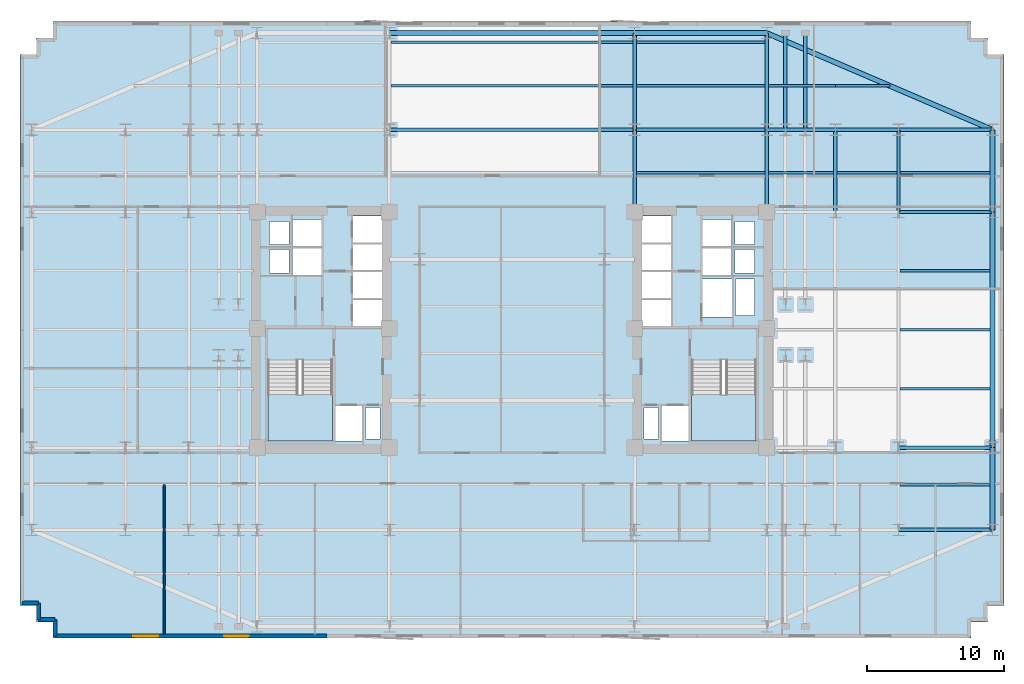
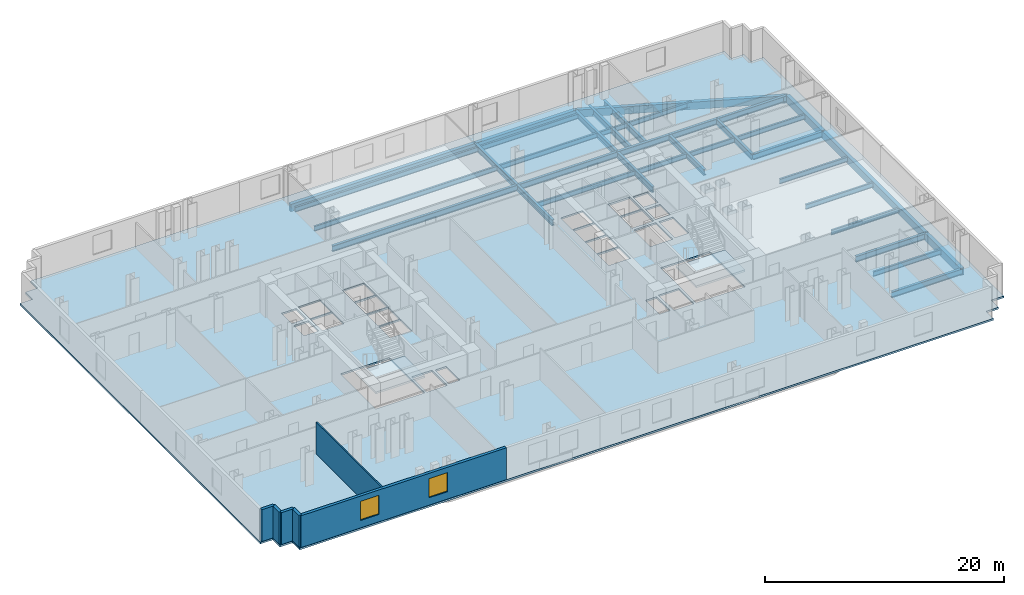
# One storey, part 3 of 10: 36 beams, 6 walls, 3 slabs, 2 windows, 2 openings, 2 elements without a shape of their own.
"""IFC4 building model written with IfcOpenShell, lengths in metres."""

from ifc_helpers import new_model, si_unit, direction, frame, frame_2d, origin, origin_2d, place, context, subcontext, project, spatial, polyline, rectangle, i_section, outline, extrude, material, layer, layer_set, material_profile, profile_set, type_object, element, fill, aggregate, save


model = new_model("IFC4")

# Units and contexts
model_context = context("Model", 3, precision=1e-05, world=origin(), true_north=direction((0.0, 1.0)))
body_context = subcontext(model_context, "Body", "Model", "MODEL_VIEW")
ifc_project = project(units=[si_unit("LENGTHUNIT", "METRE"), si_unit("AREAUNIT", "SQUARE_METRE"), si_unit("VOLUMEUNIT", "CUBIC_METRE"), si_unit("PLANEANGLEUNIT", "RADIAN"), si_unit("MASSUNIT", "GRAM", prefix="KILO")], contexts=[model_context])

# Site, building, storey
site_placement = place(None, origin())
site = spatial("IfcSite", under=ifc_project, at=site_placement, CompositionType="ELEMENT")
building_placement = place(site_placement, origin())
building = spatial("IfcBuilding", under=site, at=building_placement, Name="Velakula Bourse", CompositionType="ELEMENT")
storey_placement = place(building_placement, frame((0.0, 0.0, 41.550048828125)))
storey = spatial("IfcBuildingStorey", under=building, at=storey_placement, Name="L10", CompositionType="ELEMENT", Elevation=41.550048828125)

# Beams
ifc_material_1 = material(Name="Steel IS 2062 Grade 350 (E350)", Category="steel")
ifc_material_profile_1 = material_profile(ifc_material_1, i_section(OverallWidth=0.25, OverallDepth=0.60009765625, WebThickness=0.01171875, FlangeThickness=0.023681640625, at=origin_2d()), Name="Steel IS 2062 Grade 350 (E350)")
ifc_profile_set_1 = profile_set([ifc_material_profile_1], Name="Steel IS 2062 Grade 350 (E350)")
beam_type_1 = type_object("IfcBeamType", Name="BM-GRD-600H", PredefinedType="BEAM", material=ifc_profile_set_1)
for number, where, z_axis, x_axis, name in (
    (1, (8.949951171875, 8.60009765625, -0.47998046875), (0.0, 1.0, 0.0), (-1.0, 0.0, 0.0), "L10 Fulcrum Grid Girder FLC-ECN"),
    (2, (18.60009765625, 8.60009765625, -0.47998046875), (0.0, 1.0, 0.0), (-1.0, 0.0, 0.0), "L10 Fulcrum Grid Girder FLC-EN"),
):
    element("IfcBeam", number, at=place(storey_placement, frame(where, z_axis=z_axis, x_axis=x_axis)), inside=storey, type_object=beam_type_1, Name=name, PredefinedType="BEAM", context=body_context, shape_type="SweptSolid", body=[
        extrude(i_section(OverallWidth=0.25, OverallDepth=0.60009765625, WebThickness=0.01171875, FlangeThickness=0.023681640625, at=origin_2d()), origin(), (0.0, 0.0, 1.0), 6.0),
    ])
beam_1_placement = place(storey_placement, frame((-8.949951171875, 14.60009765625, -0.47998046875), z_axis=(1.0, 0.0, 0.0), x_axis=(0.0, 1.0, 0.0)))
element("IfcBeam", 3, at=beam_1_placement, inside=storey, type_object=beam_type_1, Name="L10 Fulcrum Grid Girder FLC-N2", PredefinedType="BEAM", context=body_context, shape_type="SweptSolid", body=[
    extrude(i_section(OverallWidth=0.25, OverallDepth=0.60009765625, WebThickness=0.01171875, FlangeThickness=0.023681640625, at=origin_2d()), origin(), (0.0, 0.0, 1.0), 17.89990234375),
])
beam_2_placement = place(storey_placement, frame((8.949951171875, 14.60009765625, -0.47998046875), z_axis=(1.0, 0.0, 0.0), x_axis=(0.0, 1.0, 0.0)))
element("IfcBeam", 4, at=beam_2_placement, inside=storey, type_object=beam_type_1, Name="L10 Fulcrum Grid Girder FLC-N3", PredefinedType="BEAM", context=body_context, shape_type="SweptSolid", body=[
    extrude(i_section(OverallWidth=0.25, OverallDepth=0.60009765625, WebThickness=0.01171875, FlangeThickness=0.023681640625, at=origin_2d()), origin(), (0.0, 0.0, 1.0), 9.650146484375),
])
beam_3_placement = place(storey_placement, frame((18.60009765625, 14.60009765625, -0.47998046875), z_axis=(1.0, 0.0, 0.0), x_axis=(0.0, 1.0, 0.0)))
element("IfcBeam", 5, at=beam_3_placement, inside=storey, type_object=beam_type_1, Name="L10 Fulcrum Grid Girder MWG-EN2", PredefinedType="BEAM", context=body_context, shape_type="SweptSolid", body=[
    extrude(i_section(OverallWidth=0.25, OverallDepth=0.60009765625, WebThickness=0.01171875, FlangeThickness=0.023681640625, at=origin_2d()), origin(), (0.0, 0.0, 1.0), 5.0),
])
beam_4_placement = place(storey_placement, frame((23.60009765625, 8.60009765625, -0.47998046875), z_axis=(0.0, 1.0, 0.0), x_axis=(-1.0, 0.0, 0.0)))
element("IfcBeam", 6, at=beam_4_placement, inside=storey, type_object=beam_type_1, Name="L10 Fulcrum Grid Girder MWG-ENS3", PredefinedType="BEAM", context=body_context, shape_type="SweptSolid", body=[
    extrude(i_section(OverallWidth=0.25, OverallDepth=0.60009765625, WebThickness=0.01171875, FlangeThickness=0.023681640625, at=origin_2d()), origin(), (0.0, 0.0, 1.0), 6.0),
])
beam_5_placement = place(storey_placement, frame((23.60009765625, 14.60009765625, -0.47998046875), z_axis=(1.0, 0.0, 0.0), x_axis=(0.0, 1.0, 0.0)))
element("IfcBeam", 7, at=beam_5_placement, inside=storey, type_object=beam_type_1, Name="L10 Fulcrum Grid Girder WNG-EN2", PredefinedType="BEAM", context=body_context, shape_type="SweptSolid", body=[
    extrude(i_section(OverallWidth=0.25, OverallDepth=0.60009765625, WebThickness=0.01171875, FlangeThickness=0.023681640625, at=origin_2d()), origin(), (0.0, 0.0, 1.0), 4.599853515625),
])
beam_6_placement = place(storey_placement, frame((28.199951171875, 8.60009765625, -0.47998046875), z_axis=(0.0, 1.0, 0.0), x_axis=(-1.0, 0.0, 0.0)))
element("IfcBeam", 8, at=beam_6_placement, inside=storey, type_object=beam_type_1, Name="L10 Fulcrum Grid Girder WNG-ENS3", PredefinedType="BEAM", context=body_context, shape_type="SweptSolid", body=[
    extrude(i_section(OverallWidth=0.25, OverallDepth=0.60009765625, WebThickness=0.01171875, FlangeThickness=0.023681640625, at=origin_2d()), origin(), (0.0, 0.0, 1.0), 6.0),
])
for number, where, z_axis, x_axis, name in (
    (9, (8.949951171875, 14.60009765625, -0.47998046875), (0.0, 1.0, 0.0), (-1.0, 0.0, 0.0), "L10 Perimeter Tie Girder N3"),
    (10, (18.60009765625, 14.60009765625, -0.47998046875), (0.0, 1.0, 0.0), (-1.0, 0.0, 0.0), "L10 Perimeter Tie Girder N4"),
):
    element("IfcBeam", number, at=place(storey_placement, frame(where, z_axis=z_axis, x_axis=x_axis)), inside=storey, type_object=beam_type_1, Name=name, PredefinedType="BEAM", context=body_context, shape_type="SweptSolid", body=[
        extrude(i_section(OverallWidth=0.25, OverallDepth=0.60009765625, WebThickness=0.01171875, FlangeThickness=0.023681640625, at=origin_2d()), origin(), (0.0, 0.0, 1.0), 7.0498046875),
    ])
for number, where, z_axis, x_axis, name in (
    (11, (28.199951171875, -14.60009765625, -0.47998046875), (1.0, 0.0, 0.0), (0.0, 1.0, 0.0), "L10 Perimeter Tie Girder E1"),
    (12, (28.199951171875, -8.60009765625, -0.47998046875), (1.0, 0.0, 0.0), (0.0, 1.0, 0.0), "L10 Perimeter Tie Girder E2"),
    (13, (28.199951171875, 8.60009765625, -0.47998046875), (1.0, 0.0, 0.0), (0.0, 1.0, 0.0), "L10 Perimeter Tie Girder E3"),
    (14, (28.199951171875, 14.60009765625, -0.47998046875), (1.0, 0.0, 0.0), (0.0, 1.0, 0.0), "L10 Perimeter Tie Girder E4"),
):
    element("IfcBeam", number, at=place(storey_placement, frame(where, z_axis=z_axis, x_axis=x_axis)), inside=storey, type_object=beam_type_1, Name=name, PredefinedType="BEAM", context=body_context, shape_type="SweptSolid", body=[
        extrude(i_section(OverallWidth=0.25, OverallDepth=0.60009765625, WebThickness=0.01171875, FlangeThickness=0.023681640625, at=origin_2d()), origin(), (0.0, 0.0, 1.0), 6.85009765625),
    ])
for number, where, z_axis, x_axis, name in (
    (15, (19.949951171875, 14.60009765625, -0.47998046875), (0.0, 1.0, 0.0), (-1.0, 0.0, 0.0), "L10 Perimeter Tie Girder P07"),
    (16, (21.39990234375, 14.60009765625, -0.47998046875), (0.0, 1.0, 0.0), (-1.0, 0.0, 0.0), "L10 Perimeter Tie Girder P08"),
):
    element("IfcBeam", number, at=place(storey_placement, frame(where, z_axis=z_axis, x_axis=x_axis)), inside=storey, type_object=beam_type_1, Name=name, PredefinedType="BEAM", context=body_context, shape_type="SweptSolid", body=[
        extrude(i_section(OverallWidth=0.25, OverallDepth=0.60009765625, WebThickness=0.01171875, FlangeThickness=0.023681640625, at=origin_2d()), origin(), (0.0, 0.0, 1.0), 7.0498046875),
    ])
ifc_material_profile_2 = material_profile(ifc_material_1, i_section(OverallWidth=0.179931640625, OverallDepth=0.5, WebThickness=0.01025390625, FlangeThickness=0.01708984375, at=origin_2d()), Name="Steel IS 2062 Grade 350 (E350)")
ifc_profile_set_2 = profile_set([ifc_material_profile_2], Name="Steel IS 2062 Grade 350 (E350)")
beam_type_2 = type_object("IfcBeamType", Name="JST-TWR-500", PredefinedType="JOIST", material=ifc_profile_set_2)
beam_7_placement = place(storey_placement, frame((28.324951171875, -11.300048828125, -0.429931640625), z_axis=(1.0, 0.0, 0.0), x_axis=(0.0, 1.0, 0.0)))
element("IfcBeam", 17, at=beam_7_placement, inside=storey, type_object=beam_type_2, Name="L10 Trading Floor Composite Joist 19", PredefinedType="JOIST", context=body_context, shape_type="SweptSolid", body=[
    extrude(i_section(OverallWidth=0.179931640625, OverallDepth=0.5, WebThickness=0.01025390625, FlangeThickness=0.01708984375, at=origin_2d()), origin(), (0.0, 0.0, 1.0), 6.550048828125),
])
beam_8_placement = place(storey_placement, frame((9.074951171875, 11.449951171875, -0.429931640625), z_axis=(1.0, 0.0, 0.0), x_axis=(0.0, 1.0, 0.0)))
element("IfcBeam", 18, at=beam_8_placement, inside=storey, type_object=beam_type_2, Name="L10 Trading Floor Composite Joist 25", PredefinedType="JOIST", context=body_context, shape_type="SweptSolid", body=[
    extrude(i_section(OverallWidth=0.179931640625, OverallDepth=0.5, WebThickness=0.01025390625, FlangeThickness=0.01708984375, at=origin_2d()), origin(), (0.0, 0.0, 1.0), 9.400146484375),
])
beam_9_placement = place(storey_placement, frame((18.72509765625, 11.449951171875, -0.429931640625), z_axis=(1.0, 0.0, 0.0), x_axis=(0.0, 1.0, 0.0)))
element("IfcBeam", 19, at=beam_9_placement, inside=storey, type_object=beam_type_2, Name="L10 Trading Floor Composite Joist 26", PredefinedType="JOIST", context=body_context, shape_type="SweptSolid", body=[
    extrude(i_section(OverallWidth=0.179931640625, OverallDepth=0.5, WebThickness=0.01025390625, FlangeThickness=0.01708984375, at=origin_2d()), origin(), (0.0, 0.0, 1.0), 4.75),
])
beam_10_placement = place(storey_placement, frame((23.72509765625, 11.449951171875, -0.429931640625), z_axis=(1.0, 0.0, 0.0), x_axis=(0.0, 1.0, 0.0)))
element("IfcBeam", 20, at=beam_10_placement, inside=storey, type_object=beam_type_2, Name="L10 Trading Floor Composite Joist 27", PredefinedType="JOIST", context=body_context, shape_type="SweptSolid", body=[
    extrude(i_section(OverallWidth=0.179931640625, OverallDepth=0.5, WebThickness=0.01025390625, FlangeThickness=0.01708984375, at=origin_2d()), origin(), (0.0, 0.0, 1.0), 4.349853515625),
])
beam_11_placement = place(storey_placement, frame((28.324951171875, 11.449951171875, -0.429931640625), z_axis=(1.0, 0.0, 0.0), x_axis=(0.0, 1.0, 0.0)))
element("IfcBeam", 21, at=beam_11_placement, inside=storey, type_object=beam_type_2, Name="L10 Trading Floor Composite Joist 28", PredefinedType="JOIST", context=body_context, shape_type="SweptSolid", body=[
    extrude(i_section(OverallWidth=0.179931640625, OverallDepth=0.5, WebThickness=0.01025390625, FlangeThickness=0.01708984375, at=origin_2d()), origin(), (0.0, 0.0, 1.0), 6.550048828125),
])
beam_12_placement = place(storey_placement, frame((-8.824951171875, 17.800048828125, -0.429931640625), z_axis=(1.0, 0.0, 0.0), x_axis=(0.0, 1.0, 0.0)))
element("IfcBeam", 22, at=beam_12_placement, inside=storey, type_object=beam_type_2, Name="L10 Trading Floor Composite Joist 32", PredefinedType="JOIST", context=body_context, shape_type="SweptSolid", body=[
    extrude(i_section(OverallWidth=0.179931640625, OverallDepth=0.5, WebThickness=0.01025390625, FlangeThickness=0.01708984375, at=origin_2d()), origin(), (0.0, 0.0, 1.0), 17.64990234375),
])
beam_13_placement = place(storey_placement, frame((9.074951171875, 17.800048828125, -0.429931640625), z_axis=(1.0, 0.0, 0.0), x_axis=(0.0, 1.0, 0.0)))
element("IfcBeam", 23, at=beam_13_placement, inside=storey, type_object=beam_type_2, Name="L10 Trading Floor Composite Joist 33", PredefinedType="JOIST", context=body_context, shape_type="SweptSolid", body=[
    extrude(i_section(OverallWidth=0.179931640625, OverallDepth=0.5, WebThickness=0.01025390625, FlangeThickness=0.01708984375, at=origin_2d()), origin(), (0.0, 0.0, 1.0), 9.400146484375),
])
beam_14_placement = place(storey_placement, frame((18.72509765625, 17.800048828125, -0.429931640625), z_axis=(1.0, 0.0, 0.0), x_axis=(0.0, 1.0, 0.0)))
element("IfcBeam", 24, at=beam_14_placement, inside=storey, type_object=beam_type_2, Name="L10 Trading Floor Composite Joist 34", PredefinedType="JOIST", context=body_context, shape_type="SweptSolid", body=[
    extrude(i_section(OverallWidth=0.179931640625, OverallDepth=0.5, WebThickness=0.01025390625, FlangeThickness=0.01708984375, at=origin_2d()), origin(), (0.0, 0.0, 1.0), 4.875),
])
beam_15_placement = place(storey_placement, frame((23.60009765625, 17.800048828125, -0.429931640625), z_axis=(1.0, 0.0, 0.0), x_axis=(0.0, 1.0, 0.0)))
element("IfcBeam", 25, at=beam_15_placement, inside=storey, type_object=beam_type_2, Name="L10 Trading Floor Composite Joist 35", PredefinedType="JOIST", context=body_context, shape_type="SweptSolid", body=[
    extrude(i_section(OverallWidth=0.179931640625, OverallDepth=0.5, WebThickness=0.01025390625, FlangeThickness=0.01708984375, at=origin_2d()), origin(), (0.0, 0.0, 1.0), 3.983154296875),
])
beam_16_placement = place(storey_placement, frame((-8.824951171875, 21.0, -0.429931640625), z_axis=(1.0, 0.0, 0.0), x_axis=(0.0, 1.0, 0.0)))
element("IfcBeam", 26, at=beam_16_placement, inside=storey, type_object=beam_type_2, Name="L10 Trading Floor Composite Joist 37", PredefinedType="JOIST", context=body_context, shape_type="SweptSolid", body=[
    extrude(i_section(OverallWidth=0.179931640625, OverallDepth=0.5, WebThickness=0.01025390625, FlangeThickness=0.01708984375, at=origin_2d()), origin(), (0.0, 0.0, 1.0), 17.64990234375),
])
beam_17_placement = place(storey_placement, frame((9.074951171875, 21.0, -0.429931640625), z_axis=(1.0, 0.0, 0.0), x_axis=(0.0, 1.0, 0.0)))
element("IfcBeam", 27, at=beam_17_placement, inside=storey, type_object=beam_type_2, Name="L10 Trading Floor Composite Joist 38", PredefinedType="JOIST", context=body_context, shape_type="SweptSolid", body=[
    extrude(i_section(OverallWidth=0.179931640625, OverallDepth=0.5, WebThickness=0.01025390625, FlangeThickness=0.01708984375, at=origin_2d()), origin(), (0.0, 0.0, 1.0), 9.400146484375),
])
for number, where, z_axis, x_axis, name in (
    (28, (28.324951171875, -4.300048828125, -0.429931640625), (1.0, 0.0, 0.0), (0.0, 1.0, 0.0), "L10 Trading Floor Composite Joist 46"),
    (29, (28.324951171875, 0.0, -0.429931640625), (1.0, 0.0, 0.0), (0.0, 1.0, 0.0), "L10 Trading Floor Composite Joist 52"),
    (30, (28.324951171875, 4.300048828125, -0.429931640625), (1.0, 0.0, 0.0), (0.0, 1.0, 0.0), "L10 Trading Floor Composite Joist 58"),
):
    element("IfcBeam", number, at=place(storey_placement, frame(where, z_axis=z_axis, x_axis=x_axis)), inside=storey, type_object=beam_type_2, Name=name, PredefinedType="JOIST", context=body_context, shape_type="SweptSolid", body=[
        extrude(i_section(OverallWidth=0.179931640625, OverallDepth=0.5, WebThickness=0.01025390625, FlangeThickness=0.01708984375, at=origin_2d()), origin(), (0.0, 0.0, 1.0), 6.550048828125),
    ])
ifc_material_2 = material(Name="Precast concrete M45 (fck 45 MPa)", Category="concrete")
ifc_material_profile_3 = material_profile(ifc_material_2, rectangle(XDim=0.35009765625, YDim=0.75, at=origin_2d()), Name="Precast concrete M45 (fck 45 MPa)")
ifc_profile_set_3 = profile_set([ifc_material_profile_3], Name="Precast concrete M45 (fck 45 MPa)")
beam_type_3 = type_object("IfcBeamType", Name="SPN-BRICK-750", PredefinedType="SPANDREL", material=ifc_profile_set_3)
beam_18_placement = place(storey_placement, frame((-8.949951171875, 21.64990234375, -0.554931640625), z_axis=(1.0, 0.0, 0.0), x_axis=(0.0, 1.0, 0.0)))
element("IfcBeam", 31, at=beam_18_placement, inside=storey, type_object=beam_type_3, Name="L10 Brick-Faced Precast Spandrel N2-N3", PredefinedType="SPANDREL", context=body_context, shape_type="SweptSolid", body=[
    extrude(rectangle(XDim=0.35009765625, YDim=0.75, at=origin_2d()), origin(), (0.0, 0.0, 1.0), 17.89990234375),
])
beam_19_placement = place(storey_placement, frame((8.949951171875, 21.64990234375, -0.554931640625), z_axis=(1.0, 0.0, 0.0), x_axis=(0.0, 1.0, 0.0)))
element("IfcBeam", 32, at=beam_19_placement, inside=storey, type_object=beam_type_3, Name="L10 Brick-Faced Precast Spandrel N3-N4", PredefinedType="SPANDREL", context=body_context, shape_type="SweptSolid", body=[
    extrude(rectangle(XDim=0.35009765625, YDim=0.75, at=origin_2d()), origin(), (0.0, 0.0, 1.0), 9.650146484375),
])
beam_20_placement = place(storey_placement, frame((35.050048828125, -14.60009765625, -0.554931640625), z_axis=(0.0, 1.0, 0.0), x_axis=(-1.0, 0.0, 0.0)))
element("IfcBeam", 33, at=beam_20_placement, inside=storey, type_object=beam_type_3, Name="L10 Brick-Faced Precast Spandrel E1-E2", PredefinedType="SPANDREL", context=body_context, shape_type="SweptSolid", body=[
    extrude(rectangle(XDim=0.35009765625, YDim=0.75, at=origin_2d()), origin(), (0.0, 0.0, 1.0), 6.0),
])
beam_21_placement = place(storey_placement, frame((35.050048828125, -8.60009765625, -0.554931640625), z_axis=(0.0, 1.0, 0.0), x_axis=(-1.0, 0.0, 0.0)))
element("IfcBeam", 34, at=beam_21_placement, inside=storey, type_object=beam_type_3, Name="L10 Brick-Faced Precast Spandrel E2-E3", PredefinedType="SPANDREL", context=body_context, shape_type="SweptSolid", body=[
    extrude(rectangle(XDim=0.35009765625, YDim=0.75, at=origin_2d()), origin(), (0.0, 0.0, 1.0), 17.2001953125),
])
beam_22_placement = place(storey_placement, frame((35.050048828125, 8.60009765625, -0.554931640625), z_axis=(0.0, 1.0, 0.0), x_axis=(-1.0, 0.0, 0.0)))
element("IfcBeam", 35, at=beam_22_placement, inside=storey, type_object=beam_type_3, Name="L10 Brick-Faced Precast Spandrel E3-E4", PredefinedType="SPANDREL", context=body_context, shape_type="SweptSolid", body=[
    extrude(rectangle(XDim=0.35009765625, YDim=0.75, at=origin_2d()), origin(), (0.0, 0.0, 1.0), 6.0),
])
beam_23_placement = place(storey_placement, frame((35.050048828125, 14.60009765625, -0.554931640625), z_axis=(-0.919148557947, 0.393911066642, 0.0), x_axis=(-0.393911066642, -0.919148557947, 0.0)))
element("IfcBeam", 36, at=beam_23_placement, inside=storey, type_object=beam_type_3, Name="L10 Brick-Faced Precast Spandrel E4-N4", PredefinedType="SPANDREL", context=body_context, shape_type="SweptSolid", body=[
    extrude(rectangle(XDim=0.35009765625, YDim=0.75, at=origin_2d()), origin(), (0.0, 0.0, 1.0), 17.89697265625),
])

# Stair, slab
ifc_material_3 = material(Name="Concrete M45 (fck 45 MPa)", Category="concrete")
stair_type = type_object("IfcStairType", Name="STR-DOG-390", PredefinedType="HALF_TURN_STAIR", material=ifc_material_3)
stair_1_placement = place(storey_placement, origin())
stair_1 = element("IfcStair", 37, at=stair_1_placement, inside=storey, type_object=stair_type, Name="L10 West Core Exit Stair ST-W1", PredefinedType="HALF_TURN_STAIR")
ifc_layer_1 = layer(ifc_material_3, 0.199951171875, Name="Concrete M45 (fck 45 MPa)", Category="concrete")
ifc_layer_set_1 = layer_set([ifc_layer_1], Name="Concrete M45 (fck 45 MPa)")
slab_type_1 = type_object("IfcSlabType", Name="SLB-STAIR-LND-200", PredefinedType="LANDING", material=ifc_layer_set_1)
slab_1_placement = place(storey_placement, frame((0.0, 0.0, 1.52490234375)))
slab_1 = element("IfcSlab", 38, at=slab_1_placement, type_object=slab_type_1, Name="ST-W1 landing 1", PredefinedType="LANDING", context=body_context, shape_type="SweptSolid", body=[
    extrude(outline(polyline([(-17.820068359375, -4.719970703125), (-17.820068359375, -8.10009765625), (-13.10009765625, -8.10009765625), (-13.10009765625, -4.719970703125), (-17.820068359375, -4.719970703125)])), origin(), (0.0, 0.0, 1.0), 0.199951171875),
])
aggregate(stair_1, [slab_1])

stair_2_placement = place(storey_placement, origin())
stair_2 = element("IfcStair", 39, at=stair_2_placement, inside=storey, type_object=stair_type, Name="L10 East Core Exit Stair ST-E1", PredefinedType="HALF_TURN_STAIR")
slab_2_placement = place(storey_placement, frame((0.0, 0.0, 1.52490234375)))
slab_2 = element("IfcSlab", 40, at=slab_2_placement, type_object=slab_type_1, Name="ST-E1 landing 1", PredefinedType="LANDING", context=body_context, shape_type="SweptSolid", body=[
    extrude(outline(polyline([(13.10009765625, -4.719970703125), (13.10009765625, -8.10009765625), (17.820068359375, -8.10009765625), (17.820068359375, -4.719970703125), (13.10009765625, -4.719970703125)])), origin(), (0.0, 0.0, 1.0), 0.199951171875),
])
aggregate(stair_2, [slab_2])

# Slab
ifc_material_4 = material(Name="Concrete M50 (fck 50 MPa)", Category="concrete")
ifc_layer_2 = layer(ifc_material_4, 0.179931640625, Name="Concrete M50 (fck 50 MPa)", Category="concrete")
ifc_layer_set_2 = layer_set([ifc_layer_2], Name="Concrete M50 (fck 50 MPa)")
slab_type_2 = type_object("IfcSlabType", Name="SLB-TWR-180", PredefinedType="FLOOR", material=ifc_layer_set_2)
slab_3_placement = place(storey_placement, frame((0.0, 0.0, -0.179931640625)))
element("IfcSlab", 41, at=slab_3_placement, inside=storey, type_object=slab_type_2, Name="L10 Suspended Structural Floor Slab", PredefinedType="FLOOR", context=body_context, shape_type="SweptSolid", body=[
    extrude(outline(polyline([(-33.5, -22.5), (33.5, -22.5), (33.5, -21.300048828125), (34.699951171875, -21.300048828125), (34.699951171875, -20.10009765625), (35.89990234375, -20.10009765625), (35.89990234375, 20.10009765625), (34.699951171875, 20.10009765625), (34.699951171875, 21.300048828125), (33.5, 21.300048828125), (33.5, 22.5), (-33.5, 22.5), (-33.5, 21.300048828125), (-34.699951171875, 21.300048828125), (-34.699951171875, 20.10009765625), (-35.89990234375, 20.10009765625), (-35.89990234375, -20.10009765625), (-34.699951171875, -20.10009765625), (-34.699951171875, -21.300048828125), (-33.5, -21.300048828125), (-33.5, -22.5)]), holes=[polyline([(-17.820068359375, -8.10009765625), (-13.10009765625, -8.10009765625), (-13.10009765625, -2.199951171875), (-17.820068359375, -2.199951171875), (-17.820068359375, -8.10009765625)]), polyline([(13.10009765625, -8.10009765625), (17.820068359375, -8.10009765625), (17.820068359375, -2.199951171875), (13.10009765625, -2.199951171875), (13.10009765625, -8.10009765625)]), polyline([(-12.89990234375, -8.10009765625), (-10.949951171875, -8.10009765625), (-10.949951171875, -5.550048828125), (-12.89990234375, -5.550048828125), (-12.89990234375, -8.10009765625)]), polyline([(10.949951171875, -8.10009765625), (12.89990234375, -8.10009765625), (12.89990234375, -5.550048828125), (10.949951171875, -5.550048828125), (10.949951171875, -8.10009765625)]), polyline([(13.89990234375, 0.919921875), (16.050048828125, 0.919921875), (16.050048828125, 3.719970703125), (13.89990234375, 3.719970703125), (13.89990234375, 0.919921875)]), polyline([(-10.679931640625, -7.97998046875), (-9.6201171875, -7.97998046875), (-9.6201171875, -5.669921875), (-10.679931640625, -5.669921875), (-10.679931640625, -7.97998046875)]), polyline([(-17.679931640625, 4.139892578125), (-16.27001953125, 4.139892578125), (-16.27001953125, 5.85009765625), (-17.679931640625, 5.85009765625), (-17.679931640625, 4.139892578125)]), polyline([(-17.679931640625, 6.2099609375), (-16.27001953125, 6.2099609375), (-16.27001953125, 7.919921875), (-17.679931640625, 7.919921875), (-17.679931640625, 6.2099609375)]), polyline([(9.6201171875, -7.97998046875), (10.679931640625, -7.97998046875), (10.679931640625, -5.669921875), (9.6201171875, -5.669921875), (9.6201171875, -7.97998046875)]), polyline([(16.27001953125, 4.139892578125), (17.679931640625, 4.139892578125), (17.679931640625, 5.85009765625), (16.27001953125, 5.85009765625), (16.27001953125, 4.139892578125)]), polyline([(16.27001953125, 6.2099609375), (17.679931640625, 6.2099609375), (17.679931640625, 7.919921875), (16.27001953125, 7.919921875), (16.27001953125, 6.2099609375)]), polyline([(16.320068359375, 1.0400390625), (17.679931640625, 1.0400390625), (17.679931640625, 3.699951171875), (16.320068359375, 3.699951171875), (16.320068359375, 1.0400390625)]), polyline([(-11.60009765625, 0.280029296875), (-9.5, 0.280029296875), (-9.5, 2.199951171875), (-11.60009765625, 2.199951171875), (-11.60009765625, 0.280029296875)]), polyline([(-11.60009765625, 2.31005859375), (-9.5, 2.31005859375), (-9.5, 4.22998046875), (-11.60009765625, 4.22998046875), (-11.60009765625, 2.31005859375)]), polyline([(-11.60009765625, 4.340087890625), (-9.5, 4.340087890625), (-9.5, 6.260009765625), (-11.60009765625, 6.260009765625), (-11.60009765625, 4.340087890625)]), polyline([(-11.60009765625, 6.3701171875), (-9.5, 6.3701171875), (-9.5, 8.2900390625), (-11.60009765625, 8.2900390625), (-11.60009765625, 6.3701171875)]), polyline([(9.5, 0.280029296875), (11.60009765625, 0.280029296875), (11.60009765625, 2.199951171875), (9.5, 2.199951171875), (9.5, 0.280029296875)]), polyline([(9.5, 2.31005859375), (11.60009765625, 2.31005859375), (11.60009765625, 4.22998046875), (9.5, 4.22998046875), (9.5, 2.31005859375)]), polyline([(9.5, 4.340087890625), (11.60009765625, 4.340087890625), (11.60009765625, 6.260009765625), (9.5, 6.260009765625), (9.5, 4.340087890625)]), polyline([(9.5, 6.3701171875), (11.60009765625, 6.3701171875), (11.60009765625, 8.2900390625), (9.5, 8.2900390625), (9.5, 6.3701171875)]), polyline([(-16.0, 4.02001953125), (-13.89990234375, 4.02001953125), (-13.89990234375, 5.969970703125), (-16.0, 5.969970703125), (-16.0, 4.02001953125)]), polyline([(-16.0, 6.090087890625), (-13.89990234375, 6.090087890625), (-13.89990234375, 8.0400390625), (-16.0, 8.0400390625), (-16.0, 6.090087890625)]), polyline([(13.89990234375, 4.02001953125), (16.0, 4.02001953125), (16.0, 5.969970703125), (13.89990234375, 5.969970703125), (13.89990234375, 4.02001953125)]), polyline([(13.89990234375, 6.090087890625), (16.0, 6.090087890625), (16.0, 8.0400390625), (13.89990234375, 8.0400390625), (13.89990234375, 6.090087890625)])]), origin(), (0.0, 0.0, 1.0), 0.179931640625),
])

# Wall, openings, windows
ifc_material_5 = material(Name="Red kilned clay facing brick masonry", Category="masonry")
ifc_layer_3 = layer(ifc_material_5, 0.280029296875, Name="Red kilned clay facing brick masonry", Category="masonry")
ifc_layer_set_3 = layer_set([ifc_layer_3], Name="Red kilned clay facing brick masonry")
wall_type_1 = type_object("IfcWallType", Name="WL-EXT-BRK-280", PredefinedType="STANDARD", material=ifc_layer_set_3)
wall_1_placement = place(storey_placement, frame((-13.5, -22.340087890625, 0.0), z_axis=(0.0, 0.0, 1.0), x_axis=(-1.0, 0.0, 0.0)))
wall_1 = element("IfcWall", 42, at=wall_1_placement, inside=storey, type_object=wall_type_1, Name="L10 S Brick Spandrel Wall B1", PredefinedType="STANDARD", context=body_context, shape_type="SweptSolid", body=[
    extrude(rectangle(XDim=19.840087890625, YDim=0.280029296875, at=frame_2d((9.919921875, 0.0))), origin(), (0.0, 0.0, 1.0), 3.25),
])
opening_1_placement = place(wall_1_placement, frame((5.71337890625, 0.0, 0.760009765625)))
opening_1 = element("IfcOpeningElement", 43, at=opening_1_placement, cuts=wall_1, Name="Opening W-01", PredefinedType="OPENING", context=body_context, shape_type="SweptSolid", body=[
    extrude(rectangle(XDim=1.800048828125, YDim=1.949951171875, at=frame_2d((0.89990234375, 0.97509765625))), frame((0.0, 0.14990234375, 0.0), z_axis=(0.0, -1.0, 0.0), x_axis=(1.0, 0.0, 0.0)), (0.0, 0.0, 1.0), 0.300048828125),
])
opening_2_placement = place(wall_1_placement, frame((12.32666015625, 0.0, 0.760009765625)))
opening_2 = element("IfcOpeningElement", 44, at=opening_2_placement, cuts=wall_1, Name="Opening W-01", PredefinedType="OPENING", context=body_context, shape_type="SweptSolid", body=[
    extrude(rectangle(XDim=1.800048828125, YDim=1.949951171875, at=frame_2d((0.89990234375, 0.97509765625))), frame((0.0, 0.14990234375, 0.0), z_axis=(0.0, -1.0, 0.0), x_axis=(1.0, 0.0, 0.0)), (0.0, 0.0, 1.0), 0.300048828125),
])
ifc_material_6 = material(Name="Double-glazed solar-control Low-E glass", Category="glass")
window_type = type_object("IfcWindowType", Name="WIN-TWR-1800x2100", PartitioningType="SINGLE_PANEL", PredefinedType="WINDOW", material=ifc_material_6)
window_1_placement = place(opening_1_placement, origin())
window_1 = element("IfcWindow", 45, at=window_1_placement, inside=storey, type_object=window_type, Name="L10 Deep-Set Recessed Window 1", OverallHeight=1.949951171875, OverallWidth=1.800048828125, PartitioningType="SINGLE_PANEL", PredefinedType="WINDOW", context=body_context, shape_type="SweptSolid", body=[
    extrude(rectangle(XDim=1.800048828125, YDim=1.949951171875, at=frame_2d((0.89990234375, 0.97509765625))), frame((0.0, 0.030029296875, 0.0), z_axis=(0.0, -1.0, 0.0), x_axis=(1.0, 0.0, 0.0)), (0.0, 0.0, 1.0), 0.06005859375),
])
fill(opening_1, window_1)
window_2_placement = place(opening_2_placement, origin())
window_2 = element("IfcWindow", 46, at=window_2_placement, inside=storey, type_object=window_type, Name="L10 Deep-Set Recessed Window 2", OverallHeight=1.949951171875, OverallWidth=1.800048828125, PartitioningType="SINGLE_PANEL", PredefinedType="WINDOW", context=body_context, shape_type="SweptSolid", body=[
    extrude(rectangle(XDim=1.800048828125, YDim=1.949951171875, at=frame_2d((0.89990234375, 0.97509765625))), frame((0.0, 0.030029296875, 0.0), z_axis=(0.0, -1.0, 0.0), x_axis=(1.0, 0.0, 0.0)), (0.0, 0.0, 1.0), 0.06005859375),
])
fill(opening_2, window_2)

# Walls
for number, where, z_axis, x_axis, name in (
    (47, (-35.739990234375, -19.93994140625, 0.0), (0.0, 0.0, 1.0), (1.0, 0.0, 0.0), "L10 Serrated Corner Brick Wall SW-1"),
    (48, (-34.5400390625, -19.93994140625, 0.0), (0.0, 0.0, 1.0), (0.0, -1.0, 0.0), "L10 Serrated Corner Brick Wall SW-2"),
    (49, (-34.5400390625, -21.139892578125, 0.0), (0.0, 0.0, 1.0), (1.0, 0.0, 0.0), "L10 Serrated Corner Brick Wall SW-3"),
):
    element("IfcWall", number, at=place(storey_placement, frame(where, z_axis=z_axis, x_axis=x_axis)), inside=storey, type_object=wall_type_1, Name=name, PredefinedType="STANDARD", context=body_context, shape_type="SweptSolid", body=[
        extrude(rectangle(XDim=1.199951171875, YDim=0.280029296875, at=frame_2d((0.60009765625, 0.0))), origin(), (0.0, 0.0, 1.0), 3.25),
    ])
wall_2_placement = place(storey_placement, frame((-33.340087890625, -21.139892578125, 0.0), z_axis=(0.0, 0.0, 1.0), x_axis=(0.0, -1.0, 0.0)))
element("IfcWall", 50, at=wall_2_placement, inside=storey, type_object=wall_type_1, Name="L10 Serrated Corner Brick Wall SW-4", PredefinedType="STANDARD", context=body_context, shape_type="SweptSolid", body=[
    extrude(rectangle(XDim=1.2001953125, YDim=0.280029296875, at=frame_2d((0.60009765625, 0.0))), origin(), (0.0, 0.0, 1.0), 3.25),
])
ifc_material_7 = material(Name="Fire-rated double-layer gypsum drywall partition", Category="gypsum")
ifc_layer_4 = layer(ifc_material_7, 0.1201171875, Name="Fire-rated double-layer gypsum drywall partition", Category="gypsum")
ifc_layer_set_4 = layer_set([ifc_layer_4], Name="Fire-rated double-layer gypsum drywall partition")
wall_type_2 = type_object("IfcWallType", Name="WL-PART-120", PredefinedType="STANDARD", material=ifc_layer_set_4)
wall_3_placement = place(storey_placement, frame((-25.3701171875, -22.219970703125, 0.0), z_axis=(0.0, 0.0, 1.0), x_axis=(0.0, 1.0, 0.0)))
element("IfcWall", 51, at=wall_3_placement, inside=storey, type_object=wall_type_2, Name="L10 Interior Partition WL-INT-L10-SL-D5", PredefinedType="STANDARD", context=body_context, shape_type="SweptSolid", body=[
    extrude(rectangle(XDim=10.929931640625, YDim=0.1201171875, at=frame_2d((5.46484375, 0.0))), origin(), (0.0, 0.0, 1.0), 3.25),
])

save(model, "model.ifc")
